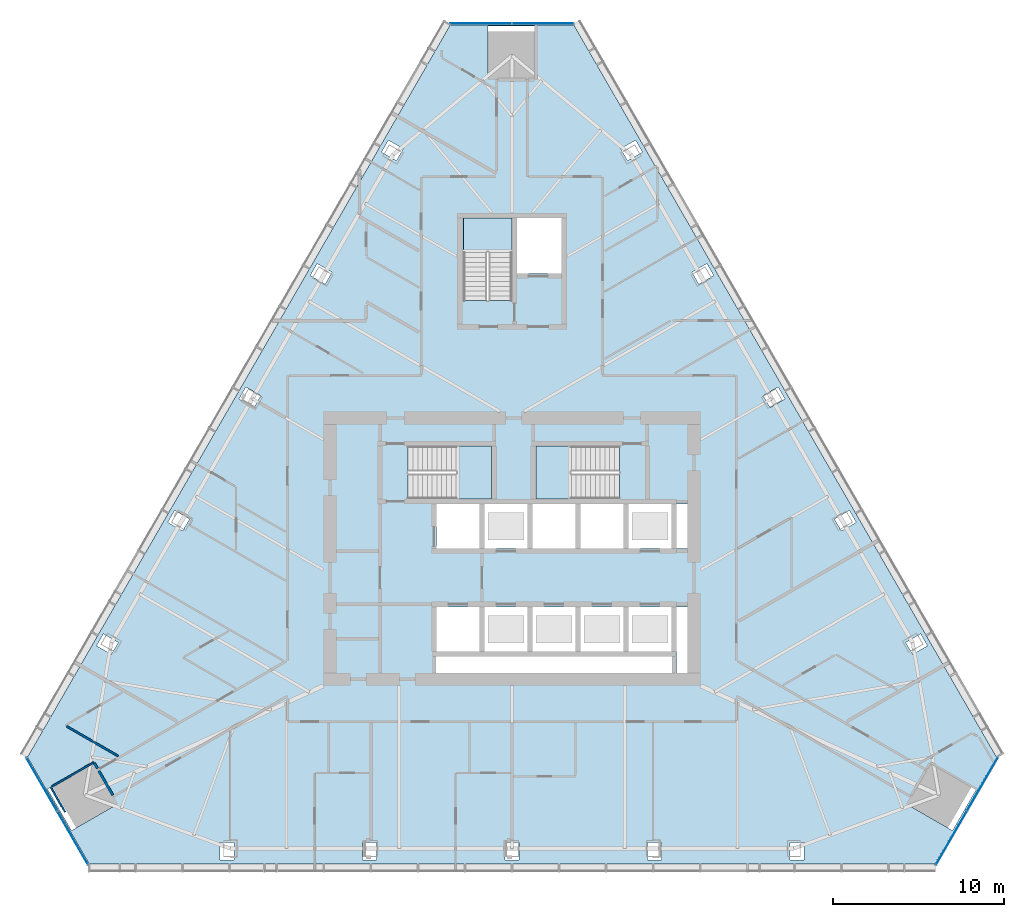
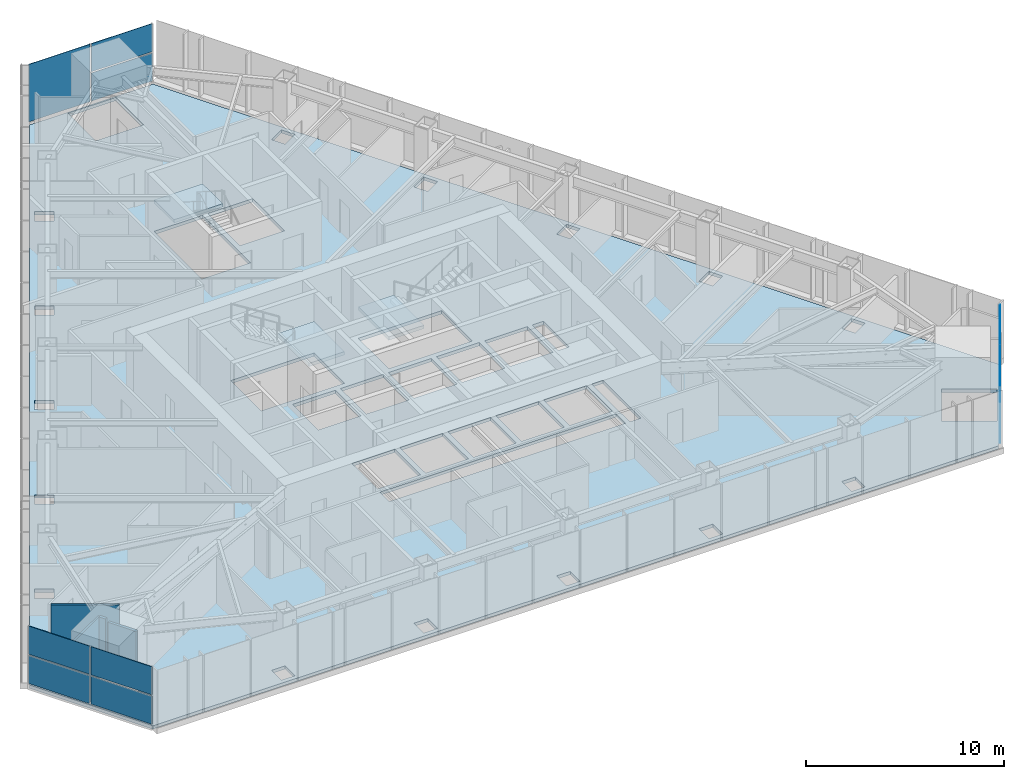
# One storey, part 9 of 16: 12 plates, 5 walls, 4 slabs, 6 elements without a shape of their own.
"""IFC4 building model written with IfcOpenShell, lengths in metres."""

from ifc_helpers import new_model, si_unit, direction, frame, frame_2d, origin, place, context, subcontext, project, spatial, polyline, rectangle, outline, extrude, material, layer, layer_set, type_object, element, aggregate, save


model = new_model("IFC4")

# Units and contexts
model_context = context("Model", 3, precision=1e-05, world=origin(), true_north=direction((0.0, 1.0)))
body_context = subcontext(model_context, "Body", "Model", "MODEL_VIEW")
ifc_project = project(units=[si_unit("LENGTHUNIT", "METRE"), si_unit("AREAUNIT", "SQUARE_METRE"), si_unit("VOLUMEUNIT", "CUBIC_METRE"), si_unit("PLANEANGLEUNIT", "RADIAN"), si_unit("MASSUNIT", "GRAM", prefix="KILO")], contexts=[model_context])

# Site, building, storey
site_placement = place(None, origin())
site = spatial("IfcSite", under=ifc_project, at=site_placement, CompositionType="ELEMENT")
building_placement = place(site_placement, origin())
building = spatial("IfcBuilding", under=site, at=building_placement, Name="Firuza Gate Tower and Library", CompositionType="ELEMENT")
storey_placement = place(building_placement, frame((0.0, 0.0, 229.89990234375)))
storey = spatial("IfcBuildingStorey", under=building, at=storey_placement, Name="L54", CompositionType="ELEMENT", Elevation=229.89990234375)

# Slab
ifc_material_1 = material(Name="Concrete C40/50", Category="concrete")
ifc_layer_1 = layer(ifc_material_1, 0.199951171875)
ifc_layer_set_1 = layer_set([ifc_layer_1], Name="Composite floor slab 200 C40/50")
slab_type_1 = type_object("IfcSlabType", Name="Composite floor slab 200 C40/50", PredefinedType="FLOOR", material=ifc_layer_set_1)
slab_1_placement = place(storey_placement, frame((0.0, 0.0, -0.199951171875)))
element("IfcSlab", 1, at=slab_1_placement, inside=storey, type_object=slab_type_1, Name="Floor slab L54", PredefinedType="FLOOR", context=body_context, shape_type="SweptSolid", body=[
    extrude(outline(polyline([(46.723388671875, 62.831298828125), (50.323486328125, 56.595947265625), (99.676513671875, 56.595947265625), (103.276611328125, 62.831298828125), (78.60009765625, 105.572509765625), (71.39990234375, 105.572509765625), (46.723388671875, 62.831298828125)]), holes=[polyline([(57.96484375, 56.836669921875), (57.96484375, 57.836669921875), (58.764892578125, 57.836669921875), (58.764892578125, 56.836669921875), (57.96484375, 56.836669921875)]), polyline([(74.60009765625, 56.836669921875), (74.60009765625, 57.836669921875), (75.39990234375, 57.836669921875), (75.39990234375, 56.836669921875), (74.60009765625, 56.836669921875)]), polyline([(66.282470703125, 56.836669921875), (66.282470703125, 57.836669921875), (67.08251953125, 57.836669921875), (67.08251953125, 56.836669921875), (66.282470703125, 56.836669921875)]), polyline([(47.8935546875, 60.966796875), (50.318603515625, 62.36669921875), (51.718505859375, 59.94189453125), (49.293701171875, 58.541748046875), (47.8935546875, 60.966796875)]), polyline([(84.35009765625, 67.75), (70.550048828125, 67.75), (70.550048828125, 68.699951171875), (84.35009765625, 68.699951171875), (84.35009765625, 67.75)]), polyline([(51.15234375, 70.021728515625), (52.0185546875, 69.521728515625), (51.618408203125, 68.828857421875), (50.75244140625, 69.328857421875), (51.15234375, 70.021728515625)]), polyline([(73.10009765625, 69.0), (70.60009765625, 69.0), (70.60009765625, 71.60009765625), (73.10009765625, 71.60009765625), (73.10009765625, 69.0)]), polyline([(75.89990234375, 69.0), (73.39990234375, 69.0), (73.39990234375, 71.60009765625), (75.89990234375, 71.60009765625), (75.89990234375, 69.0)]), polyline([(73.10009765625, 75.0), (70.60009765625, 75.0), (70.60009765625, 77.60009765625), (73.10009765625, 77.60009765625), (73.10009765625, 75.0)]), polyline([(75.89990234375, 75.0), (73.39990234375, 75.0), (73.39990234375, 77.60009765625), (75.89990234375, 77.60009765625), (75.89990234375, 75.0)]), polyline([(55.311279296875, 77.224853515625), (56.17724609375, 76.724853515625), (55.77734375, 76.031982421875), (54.9111328125, 76.531982421875), (55.311279296875, 77.224853515625)]), polyline([(73.81005859375, 77.89990234375), (68.9404296875, 77.89990234375), (68.9404296875, 80.97998046875), (73.81005859375, 80.97998046875), (73.81005859375, 77.89990234375)]), polyline([(59.469970703125, 84.42822265625), (60.3359375, 83.92822265625), (59.93603515625, 83.2353515625), (59.070068359375, 83.7353515625), (59.469970703125, 84.42822265625)]), polyline([(63.62890625, 91.63134765625), (64.494873046875, 91.13134765625), (64.0947265625, 90.4384765625), (63.228759765625, 90.9384765625), (63.62890625, 91.63134765625)]), polyline([(72.159912109375, 89.470458984375), (72.159912109375, 94.300048828125), (75.0, 94.300048828125), (75.0, 89.470458984375), (72.159912109375, 89.470458984375)]), polyline([(75.300048828125, 91.050048828125), (75.300048828125, 94.300048828125), (77.89990234375, 94.300048828125), (77.89990234375, 91.050048828125), (75.300048828125, 91.050048828125)]), polyline([(68.653564453125, 98.334716796875), (68.253662109375, 97.641845703125), (67.3876953125, 98.141845703125), (67.78759765625, 98.834716796875), (68.653564453125, 98.334716796875)]), polyline([(76.39990234375, 105.491455078125), (76.39990234375, 102.69140625), (73.60009765625, 102.69140625), (73.60009765625, 105.491455078125), (76.39990234375, 105.491455078125)]), polyline([(91.235107421875, 56.836669921875), (91.235107421875, 57.836669921875), (92.03515625, 57.836669921875), (92.03515625, 56.836669921875), (91.235107421875, 56.836669921875)]), polyline([(82.91748046875, 56.836669921875), (82.91748046875, 57.836669921875), (83.717529296875, 57.836669921875), (83.717529296875, 56.836669921875), (82.91748046875, 56.836669921875)]), polyline([(100.706298828125, 58.541748046875), (98.281494140625, 59.94189453125), (99.681396484375, 62.36669921875), (102.1064453125, 60.966796875), (100.706298828125, 58.541748046875)]), polyline([(99.24755859375, 69.328857421875), (98.381591796875, 68.828857421875), (97.9814453125, 69.521728515625), (98.84765625, 70.021728515625), (99.24755859375, 69.328857421875)]), polyline([(85.25, 67.75), (84.60009765625, 67.75), (84.60009765625, 71.60009765625), (85.25, 71.60009765625), (85.25, 67.75)]), polyline([(81.5, 69.0), (79.0, 69.0), (79.0, 71.60009765625), (81.5, 71.60009765625), (81.5, 69.0)]), polyline([(81.800048828125, 69.0), (81.800048828125, 71.60009765625), (84.300048828125, 71.60009765625), (84.300048828125, 69.0), (81.800048828125, 69.0)]), polyline([(76.199951171875, 69.0), (76.199951171875, 71.60009765625), (78.699951171875, 71.60009765625), (78.699951171875, 69.0), (76.199951171875, 69.0)]), polyline([(81.5, 75.0), (79.0, 75.0), (79.0, 77.60009765625), (81.5, 77.60009765625), (81.5, 75.0)]), polyline([(84.300048828125, 75.0), (81.800048828125, 75.0), (81.800048828125, 77.60009765625), (84.300048828125, 77.60009765625), (84.300048828125, 75.0)]), polyline([(85.25, 75.0), (84.60009765625, 75.0), (84.60009765625, 77.60009765625), (85.25, 77.60009765625), (85.25, 75.0)]), polyline([(78.699951171875, 75.0), (76.199951171875, 75.0), (76.199951171875, 77.60009765625), (78.699951171875, 77.60009765625), (78.699951171875, 75.0)]), polyline([(95.0888671875, 76.531982421875), (94.22265625, 76.031982421875), (93.82275390625, 76.724853515625), (94.688720703125, 77.224853515625), (95.0888671875, 76.531982421875)]), polyline([(81.259521484375, 77.89990234375), (76.389892578125, 77.89990234375), (76.389892578125, 80.97998046875), (81.259521484375, 80.97998046875), (81.259521484375, 77.89990234375)]), polyline([(90.929931640625, 83.7353515625), (90.06396484375, 83.2353515625), (89.6640625, 83.92822265625), (90.530029296875, 84.42822265625), (90.929931640625, 83.7353515625)]), polyline([(85.9052734375, 90.4384765625), (85.505126953125, 91.13134765625), (86.37109375, 91.63134765625), (86.771240234375, 90.9384765625), (85.9052734375, 90.4384765625)]), polyline([(81.746337890625, 97.641845703125), (81.346435546875, 98.334716796875), (82.21240234375, 98.834716796875), (82.6123046875, 98.141845703125), (81.746337890625, 97.641845703125)])]), origin(), (0.0, 0.0, 1.0), 0.199951171875),
])

# Curtain wall, plates
ifc_material_2 = material(Name="Aluminium 6063-T6", Category="aluminium")
ifc_layer_2 = layer(ifc_material_2, 0.14990234375)
ifc_layer_set_2 = layer_set([ifc_layer_2], Name="Corner curtain wall, chamfers")
curtain_wall_type = type_object("IfcCurtainWallType", Name="Corner curtain wall, chamfers", PredefinedType="NOTDEFINED", material=ifc_layer_set_2)
placement_1 = place(storey_placement, origin())
curtain_wall_1 = element("IfcCurtainWall", 2, at=placement_1, inside=storey, type_object=curtain_wall_type, Name="CW4 L54 SE corner", PredefinedType="NOTDEFINED")
ifc_material_3 = material(Name="Fritted glass", Category="glass")
ifc_layer_3 = layer(ifc_material_3, 0.030029296875)
ifc_layer_set_3 = layer_set([ifc_layer_3], Name="Fritted glass unit, corners")
plate_type_1 = type_object("IfcPlateType", Name="Fritted glass unit, corners", PredefinedType="CURTAIN_PANEL", material=ifc_layer_set_3)
plate_1_placement = place(storey_placement, frame((99.7529296875, 56.548095703125, 0.150146484375), z_axis=(0.866016723041, -0.500015035186, 0.0), x_axis=(0.500015035186, 0.866016723041, 0.0)))
plate_1 = element("IfcPlate", 3, at=plate_1_placement, type_object=plate_type_1, Name="Glass unit", PredefinedType="CURTAIN_PANEL", context=body_context, shape_type="SweptSolid", body=[
    extrude(outline(polyline([(0.0, 0.0), (3.5633694106530625, 0.0), (3.5633694106530625, 1.260009765625), (0.0, 1.260009765625), (0.0, 0.0)])), origin(), (0.0, 0.0, -1.0), 0.030029296875),
])
plate_2_placement = place(storey_placement, frame((99.7529296875, 56.548095703125, 1.489990234375), z_axis=(0.866016723041, -0.500015035186, 0.0), x_axis=(0.500015035186, 0.866016723041, 0.0)))
plate_2 = element("IfcPlate", 4, at=plate_2_placement, type_object=plate_type_1, Name="Glass unit", PredefinedType="CURTAIN_PANEL", context=body_context, shape_type="SweptSolid", body=[
    extrude(outline(polyline([(0.0, 0.0), (3.5633694106530625, 0.0), (3.5633694106530625, 1.045166015625), (0.0, 1.045166015625), (0.0, 0.0)])), origin(), (0.0, 0.0, -1.0), 0.030029296875),
])
plate_3_placement = place(storey_placement, frame((101.574462890625, 59.703369140625, 0.150146484375), z_axis=(0.866016723041, -0.500015035186, 0.0), x_axis=(0.500015035186, 0.866016723041, 0.0)))
plate_3 = element("IfcPlate", 5, at=plate_3_placement, type_object=plate_type_1, Name="Glass unit", PredefinedType="CURTAIN_PANEL", context=body_context, shape_type="SweptSolid", body=[
    extrude(outline(polyline([(0.0, 0.0), (3.5633694106530625, 0.0), (3.5633694106530625, 1.73486328125), (0.0, 1.73486328125), (0.0, 0.0)])), origin(), (0.0, 0.0, -1.0), 0.030029296875),
])

# Curtain wall, plate
curtain_wall_2 = element("IfcCurtainWall", 6, at=placement_1, inside=storey, type_object=curtain_wall_type, Name="CW4 L54 N corner", PredefinedType="NOTDEFINED")
plate_4_placement = place(storey_placement, frame((78.603271484375, 105.66259765625, 0.150146484375), z_axis=(0.0, 1.0, 0.0), x_axis=(-1.0, 0.0, 0.0)))
plate_4 = element("IfcPlate", 7, at=plate_4_placement, type_object=plate_type_1, Name="Glass unit", PredefinedType="CURTAIN_PANEL", context=body_context, shape_type="SweptSolid", body=[
    extrude(outline(polyline([(0.0, 0.0), (3.563232421875, 0.0), (3.563232421875, 1.73486328125), (0.0, 1.73486328125), (0.0, 0.0)])), origin(), (0.0, 0.0, -1.0), 0.030029296875),
])

# Curtain wall, plates
curtain_wall_3 = element("IfcCurtainWall", 8, at=placement_1, inside=storey, type_object=curtain_wall_type, Name="CW4 L54 SW corner", PredefinedType="NOTDEFINED")
plate_5_placement = place(storey_placement, frame((46.643798828125, 62.789306640625, 0.150146484375), z_axis=(-0.866016723041, -0.500015035186, 0.0), x_axis=(0.500015035186, -0.866016723041, 0.0)))
plate_5 = element("IfcPlate", 9, at=plate_5_placement, type_object=plate_type_1, Name="Glass unit", PredefinedType="CURTAIN_PANEL", context=body_context, shape_type="SweptSolid", body=[
    extrude(outline(polyline([(0.0, 0.0), (3.5633694106530625, 0.0), (3.5633694106530625, 1.73486328125), (0.0, 1.73486328125), (0.0, 0.0)])), origin(), (0.0, 0.0, -1.0), 0.030029296875),
])
plate_6_placement = place(storey_placement, frame((48.46533203125, 59.634033203125, 0.150146484375), z_axis=(-0.866016723041, -0.500015035186, 0.0), x_axis=(0.500015035186, -0.866016723041, 0.0)))
plate_6 = element("IfcPlate", 10, at=plate_6_placement, type_object=plate_type_1, Name="Glass unit", PredefinedType="CURTAIN_PANEL", context=body_context, shape_type="SweptSolid", body=[
    extrude(outline(polyline([(0.0, 0.0), (3.5633694106530625, 0.0), (3.5633694106530625, 1.73486328125), (0.0, 1.73486328125), (0.0, 0.0)])), origin(), (0.0, 0.0, -1.0), 0.030029296875),
])

# Plate
ifc_material_4 = material(Name="Glazed ceramic tile")
ifc_layer_4 = layer(ifc_material_4, 0.030029296875)
ifc_layer_set_4 = layer_set([ifc_layer_4], Name="Opaque ceramic panel, corners")
plate_type_2 = type_object("IfcPlateType", Name="Opaque ceramic panel, corners", PredefinedType="CURTAIN_PANEL", material=ifc_layer_set_4)
plate_7_placement = place(storey_placement, frame((99.7529296875, 56.548095703125, 2.614990234375), z_axis=(0.866016723041, -0.500015035186, 0.0), x_axis=(0.500015035186, 0.866016723041, 0.0)))
plate_7 = element("IfcPlate", 11, at=plate_7_placement, type_object=plate_type_2, Name="Opaque ceramic panel", PredefinedType="CURTAIN_PANEL", context=body_context, shape_type="SweptSolid", body=[
    extrude(outline(polyline([(0.0, 0.0), (3.5633694106530625, 0.0), (3.5633694106530625, 1.085205078125), (0.0, 1.085205078125), (0.0, 0.0)])), origin(), (0.0, 0.0, -1.0), 0.030029296875),
])

plate_8_placement = place(storey_placement, frame((101.574462890625, 59.703369140625, 1.965087890625), z_axis=(0.866016723041, -0.500015035186, 0.0), x_axis=(0.500015035186, 0.866016723041, 0.0)))
plate_8 = element("IfcPlate", 12, at=plate_8_placement, type_object=plate_type_2, Name="Opaque ceramic panel", PredefinedType="CURTAIN_PANEL", context=body_context, shape_type="SweptSolid", body=[
    extrude(outline(polyline([(0.0, 0.0), (3.5633694106530625, 0.0), (3.5633694106530625, 1.735107421875), (0.0, 1.735107421875), (0.0, 0.0)])), origin(), (0.0, 0.0, -1.0), 0.030029296875),
])

aggregate(curtain_wall_1, [plate_1, plate_2, plate_7, plate_3, plate_8])

plate_9_placement = place(storey_placement, frame((78.603271484375, 105.66259765625, 1.965087890625), z_axis=(0.0, 1.0, 0.0), x_axis=(-1.0, 0.0, 0.0)))
plate_9 = element("IfcPlate", 13, at=plate_9_placement, type_object=plate_type_2, Name="Opaque ceramic panel", PredefinedType="CURTAIN_PANEL", context=body_context, shape_type="SweptSolid", body=[
    extrude(outline(polyline([(0.0, 0.0), (3.563232421875, 0.0), (3.563232421875, 1.735107421875), (0.0, 1.735107421875), (0.0, 0.0)])), origin(), (0.0, 0.0, -1.0), 0.030029296875),
])

plate_10_placement = place(storey_placement, frame((74.9599609375, 105.66259765625, 0.150146484375), z_axis=(0.0, 1.0, 0.0), x_axis=(-1.0, 0.0, 0.0)))
plate_10 = element("IfcPlate", 14, at=plate_10_placement, type_object=plate_type_2, Name="Opaque ceramic panel", PredefinedType="CURTAIN_PANEL", context=body_context, shape_type="SweptSolid", body=[
    extrude(outline(polyline([(0.0, 0.0), (3.563232421875, 0.0), (3.563232421875, 3.550048828125), (0.0, 3.550048828125), (0.0, 0.0)])), origin(), (0.0, 0.0, -1.0), 0.030029296875),
])

aggregate(curtain_wall_2, [plate_4, plate_9, plate_10])

plate_11_placement = place(storey_placement, frame((46.643798828125, 62.789306640625, 1.965087890625), z_axis=(-0.866016723041, -0.500015035186, 0.0), x_axis=(0.500015035186, -0.866016723041, 0.0)))
plate_11 = element("IfcPlate", 15, at=plate_11_placement, type_object=plate_type_2, Name="Opaque ceramic panel", PredefinedType="CURTAIN_PANEL", context=body_context, shape_type="SweptSolid", body=[
    extrude(outline(polyline([(0.0, 0.0), (3.5633694106530625, 0.0), (3.5633694106530625, 1.735107421875), (0.0, 1.735107421875), (0.0, 0.0)])), origin(), (0.0, 0.0, -1.0), 0.030029296875),
])

plate_12_placement = place(storey_placement, frame((48.46533203125, 59.634033203125, 1.965087890625), z_axis=(-0.866016723041, -0.500015035186, 0.0), x_axis=(0.500015035186, -0.866016723041, 0.0)))
plate_12 = element("IfcPlate", 16, at=plate_12_placement, type_object=plate_type_2, Name="Opaque ceramic panel", PredefinedType="CURTAIN_PANEL", context=body_context, shape_type="SweptSolid", body=[
    extrude(outline(polyline([(0.0, 0.0), (3.5633694106530625, 0.0), (3.5633694106530625, 1.735107421875), (0.0, 1.735107421875), (0.0, 0.0)])), origin(), (0.0, 0.0, -1.0), 0.030029296875),
])

aggregate(curtain_wall_3, [plate_5, plate_11, plate_6, plate_12])

# Stair, slab
ifc_material_5 = material(Name="Concrete C35/45", Category="concrete")
stair_type_1 = type_object("IfcStairType", Name="Exit stair ST7", PredefinedType="HALF_TURN_STAIR", material=ifc_material_5)
stair_1 = element("IfcStair", 17, at=placement_1, inside=storey, type_object=stair_type_1, Name="L54 Stair ST1", PredefinedType="HALF_TURN_STAIR")
ifc_material_6 = material(Name="Concrete C35/45", Category="concrete")
ifc_layer_5 = layer(ifc_material_6, 0.199951171875)
ifc_layer_set_5 = layer_set([ifc_layer_5], Name="Stair landing 200")
slab_type_2 = type_object("IfcSlabType", Name="Stair landing 200", PredefinedType="LANDING", material=ifc_layer_set_5)
placement_2 = place(storey_placement, frame((0.0, 0.0, 1.75)))
slab_2 = element("IfcSlab", 18, at=placement_2, type_object=slab_type_2, Name="ST1 landing 1", PredefinedType="LANDING", context=body_context, shape_type="SweptSolid", body=[
    extrude(outline(polyline([(71.739990234375, 77.89990234375), (73.81005859375, 77.89990234375), (73.81005859375, 80.97998046875), (71.739990234375, 80.97998046875), (71.739990234375, 77.89990234375)])), origin(), (0.0, 0.0, 1.0), 0.2001953125),
])
aggregate(stair_1, [slab_2])

stair_2 = element("IfcStair", 19, at=placement_1, inside=storey, type_object=stair_type_1, Name="L54 Stair ST2", PredefinedType="HALF_TURN_STAIR")
slab_3 = element("IfcSlab", 20, at=placement_2, type_object=slab_type_2, Name="ST2 landing 1", PredefinedType="LANDING", context=body_context, shape_type="SweptSolid", body=[
    extrude(outline(polyline([(78.4599609375, 80.97998046875), (76.389892578125, 80.97998046875), (76.389892578125, 77.89990234375), (78.4599609375, 77.89990234375), (78.4599609375, 80.97998046875)])), origin(), (0.0, 0.0, 1.0), 0.2001953125),
])
aggregate(stair_2, [slab_3])

ifc_material_7 = material(Name="Concrete C35/45", Category="concrete")
stair_type_2 = type_object("IfcStairType", Name="Exit stair ST16", PredefinedType="HALF_TURN_STAIR", material=ifc_material_7)
stair_3 = element("IfcStair", 21, at=placement_1, inside=storey, type_object=stair_type_2, Name="L54 Stair ST3", PredefinedType="HALF_TURN_STAIR")
slab_4 = element("IfcSlab", 22, at=placement_2, type_object=slab_type_2, Name="ST3 landing 1", PredefinedType="LANDING", context=body_context, shape_type="SweptSolid", body=[
    extrude(outline(polyline([(75.0, 92.27001953125), (75.0, 94.300048828125), (72.159912109375, 94.300048828125), (72.159912109375, 92.27001953125), (75.0, 92.27001953125)])), origin(), (0.0, 0.0, 1.0), 0.2001953125),
])
aggregate(stair_3, [slab_4])

# Walls
ifc_material_8 = material(Name="Gypsum board partition")
ifc_layer_6 = layer(ifc_material_8, 0.14990234375)
ifc_layer_set_6 = layer_set([ifc_layer_6], Name="Corridor wall 150 double board on steel studs")
wall_type_1 = type_object("IfcWallType", Name="Corridor wall 150 double board on steel studs", PredefinedType="PARTITIONING", material=ifc_layer_set_6)
wall_1_placement = place(storey_placement, frame((51.70654296875, 60.599609375, 0.0), z_axis=(0.0, 0.0, 1.0), x_axis=(-0.499991515992, 0.866030301974, 0.0)))
element("IfcWall", 23, at=wall_1_placement, inside=storey, type_object=wall_type_1, Name="f:L54:w071", PredefinedType="PARTITIONING", context=body_context, shape_type="SweptSolid", body=[
    extrude(rectangle(XDim=1.6494140625, YDim=0.14990234375, at=frame_2d((0.82470703125, 0.0))), origin(), (0.0, 0.0, 1.0), 2.947021484375),
])
wall_2_placement = place(storey_placement, frame((50.806884765625, 62.157958984375, 0.0), z_axis=(0.0, 0.0, 1.0), x_axis=(-0.500060622324, 0.86599040064, 0.0)))
element("IfcWall", 24, at=wall_2_placement, inside=storey, type_object=wall_type_1, Name="f:L54:w096", PredefinedType="PARTITIONING", context=body_context, shape_type="SweptSolid", body=[
    extrude(rectangle(XDim=0.375, YDim=0.14990234375, at=frame_2d((0.1875, 0.0))), origin(), (0.0, 0.0, 1.0), 3.10009765625),
])
ifc_material_9 = material(Name="Gypsum board partition")
ifc_layer_7 = layer(ifc_material_9, 0.10009765625)
ifc_layer_set_7 = layer_set([ifc_layer_7], Name="Partition 100 gypsum board on steel studs")
wall_type_2 = type_object("IfcWallType", Name="Partition 100 gypsum board on steel studs", PredefinedType="PARTITIONING", material=ifc_layer_set_7)
wall_3_placement = place(storey_placement, frame((48.169677734375, 61.126220703125, 0.0), z_axis=(0.0, 0.0, 1.0), x_axis=(0.866034573852, 0.49998411664, 0.0)))
element("IfcWall", 25, at=wall_3_placement, inside=storey, type_object=wall_type_2, Name="f:L54:w027", PredefinedType="PARTITIONING", context=body_context, shape_type="SweptSolid", body=[
    extrude(rectangle(XDim=2.7998046875, YDim=0.10009765625, at=frame_2d((1.39990234375, 0.0))), origin(), (0.0, 0.0, 1.0), 3.10009765625),
])
wall_4_placement = place(storey_placement, frame((48.91796875, 59.629638671875, 0.0), z_axis=(0.0, 0.0, 1.0), x_axis=(-0.500029155639, 0.866008570114, 0.0)))
element("IfcWall", 26, at=wall_4_placement, inside=storey, type_object=wall_type_2, Name="f:L54:w072", PredefinedType="PARTITIONING", context=body_context, shape_type="SweptSolid", body=[
    extrude(rectangle(XDim=1.65380859375, YDim=0.10009765625, at=frame_2d((0.826904296875, 0.0))), origin(), (0.0, 0.0, 1.0), 3.10009765625),
])
ifc_material_10 = material(Name="Gypsum board partition")
ifc_layer_8 = layer(ifc_material_10, 0.1201171875)
ifc_layer_set_8 = layer_set([ifc_layer_8], Name="Wet-area partition 120 moisture-resistant board")
wall_type_3 = type_object("IfcWallType", Name="Wet-area partition 120 moisture-resistant board", PredefinedType="PARTITIONING", material=ifc_layer_set_8)
wall_5_placement = place(storey_placement, frame((52.013671875, 62.89453125, 0.0), z_axis=(0.0, 0.0, 1.0), x_axis=(-0.866045730533, 0.499964791386, 0.0)))
element("IfcWall", 27, at=wall_5_placement, inside=storey, type_object=wall_type_3, Name="f:L54:w094", PredefinedType="PARTITIONING", context=body_context, shape_type="SweptSolid", body=[
    extrude(rectangle(XDim=3.459228515625, YDim=0.1201171875, at=frame_2d((1.7294921875, 0.0))), origin(), (0.0, 0.0, 1.0), 3.10009765625),
])

save(model, "model.ifc")
